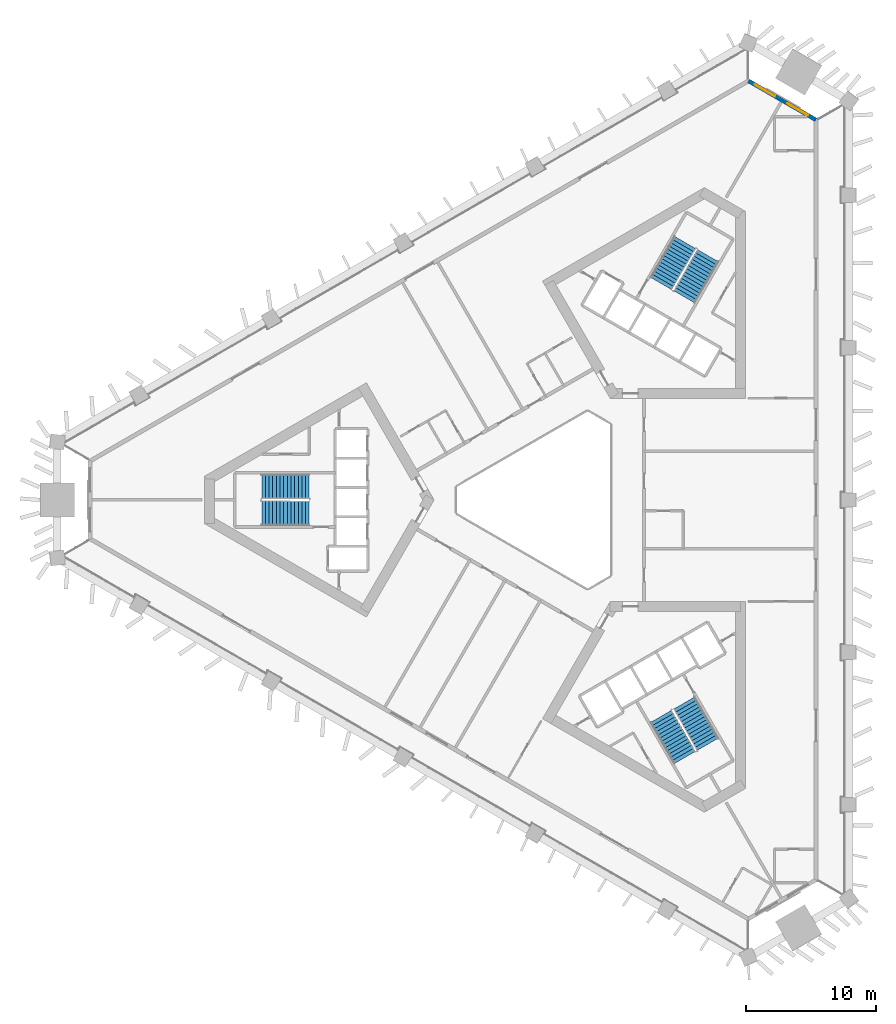
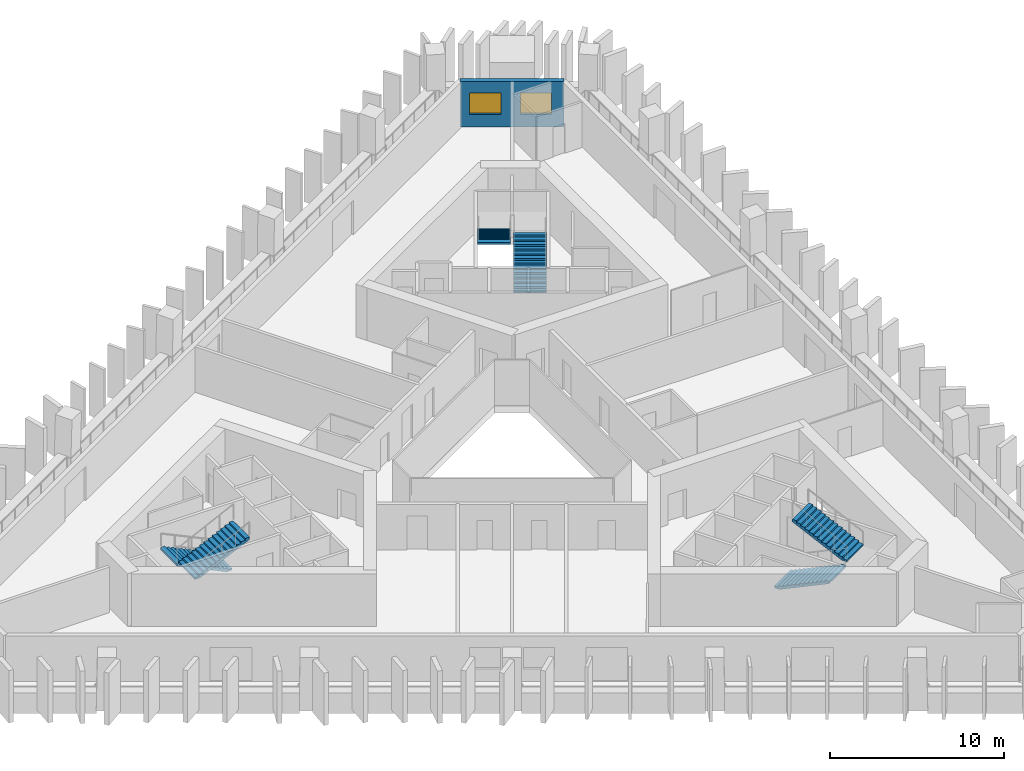
# One storey, part 7 of 11: 6 stair flights, 2 windows, 1 wall, 2 openings, 3 elements without a shape of their own.
"""IFC4 building model written with IfcOpenShell, lengths in metres."""

from ifc_helpers import new_model, si_unit, direction, frame, frame_2d, origin, place, context, subcontext, project, spatial, polyline, rectangle, outline, extrude, material, layer, layer_set, type_object, element, fill, aggregate, save


model = new_model("IFC4")

# Units and contexts
model_context = context("Model", 3, precision=1e-05, world=origin(), true_north=direction((0.0, 1.0)))
body_context = subcontext(model_context, "Body", "Model", "MODEL_VIEW")
ifc_project = project(units=[si_unit("LENGTHUNIT", "METRE"), si_unit("AREAUNIT", "SQUARE_METRE"), si_unit("VOLUMEUNIT", "CUBIC_METRE"), si_unit("PLANEANGLEUNIT", "RADIAN"), si_unit("MASSUNIT", "GRAM", prefix="KILO")], contexts=[model_context])

# Site, building, storey
site_placement = place(None, origin())
site = spatial("IfcSite", under=ifc_project, at=site_placement, CompositionType="ELEMENT")
building_placement = place(site_placement, origin())
building = spatial("IfcBuilding", under=site, at=building_placement, Name="Jabali Bay Hotel Tower and Convention Centre", CompositionType="ELEMENT")
storey_placement = place(building_placement, frame((0.0, 0.0, 90.60009765625)))
storey = spatial("IfcBuildingStorey", under=building, at=storey_placement, Name="L21", CompositionType="ELEMENT", Elevation=90.60009765625)

# Wall, openings, windows
ifc_material_1 = material(Name="Concrete C40", Category="concrete")
ifc_layer = layer(ifc_material_1, 0.300048828125)
ifc_layer_set = layer_set([ifc_layer], Name="Concrete C40")
wall_type = type_object("IfcWallType", Name="External wall 300", PredefinedType="SOLIDWALL", material=ifc_layer_set)
wall_placement = place(storey_placement, frame((90.109619140625, 112.136962890625, 0.0), z_axis=(0.0, 0.0, 1.0), x_axis=(0.866008413041, -0.500029427677, 0.0)))
wall = element("IfcWall", 1, at=wall_placement, inside=storey, type_object=wall_type, Name="External wall north-east chamfer L21", PredefinedType="SOLIDWALL", context=body_context, shape_type="SweptSolid", body=[
    extrude(rectangle(XDim=5.966552734375, YDim=0.300048828125, at=frame_2d((2.9833984375, 0.0))), origin(), (0.0, 0.0, 1.0), 3.199951171875),
])
opening_1_placement = place(wall_placement, frame((3.46484375, 0.0, 0.89990234375)))
opening_1 = element("IfcOpeningElement", 2, at=opening_1_placement, cuts=wall, Name="Opening W1", PredefinedType="OPENING", context=body_context, shape_type="SweptSolid", body=[
    extrude(rectangle(XDim=1.800048828125, YDim=1.5, at=frame_2d((0.89990234375, 0.75))), frame((0.0, 0.16064453125, 0.0), z_axis=(0.0, -1.0, 0.0), x_axis=(1.0, 0.0, 0.0)), (0.0, 0.0, 1.0), 0.321044921875),
])
opening_2_placement = place(wall_placement, frame((0.548828125, 0.0, 0.89990234375)))
opening_2 = element("IfcOpeningElement", 3, at=opening_2_placement, cuts=wall, Name="Opening W1", PredefinedType="OPENING", context=body_context, shape_type="SweptSolid", body=[
    extrude(rectangle(XDim=1.800048828125, YDim=1.5, at=frame_2d((0.89990234375, 0.75))), frame((0.0, 0.16064453125, 0.0), z_axis=(0.0, -1.0, 0.0), x_axis=(1.0, 0.0, 0.0)), (0.0, 0.0, 1.0), 0.321044921875),
])
ifc_material_2 = material(Name="Glass", Category="glass")
window_type = type_object("IfcWindowType", Name="Window 1800 x 1500", PartitioningType="SINGLE_PANEL", PredefinedType="WINDOW", material=ifc_material_2)
window_1_placement = place(opening_1_placement, origin())
window_1 = element("IfcWindow", 4, at=window_1_placement, inside=storey, type_object=window_type, Name="Window 2103", OverallHeight=1.5, OverallWidth=1.800048828125, PartitioningType="SINGLE_PANEL", PredefinedType="WINDOW", context=body_context, shape_type="SweptSolid", body=[
    extrude(rectangle(XDim=1.800048828125, YDim=1.5, at=frame_2d((0.89990234375, 0.75))), frame((0.0, 0.030029296875, 0.0), z_axis=(0.0, -1.0, 0.0), x_axis=(1.0, 0.0, 0.0)), (0.0, 0.0, 1.0), 0.06005859375),
])
fill(opening_1, window_1)
window_2_placement = place(opening_2_placement, origin())
window_2 = element("IfcWindow", 5, at=window_2_placement, inside=storey, type_object=window_type, Name="Window 2104", OverallHeight=1.5, OverallWidth=1.800048828125, PartitioningType="SINGLE_PANEL", PredefinedType="WINDOW", context=body_context, shape_type="SweptSolid", body=[
    extrude(rectangle(XDim=1.800048828125, YDim=1.5, at=frame_2d((0.89990234375, 0.75))), frame((0.0, 0.030029296875, 0.0), z_axis=(0.0, -1.0, 0.0), x_axis=(1.0, 0.0, 0.0)), (0.0, 0.0, 1.0), 0.06005859375),
])
fill(opening_2, window_2)

# Stair, stair flights
stair_type = type_object("IfcStairType", Name="Exit stair 1900", PredefinedType="HALF_TURN_STAIR", material=ifc_material_1)
stair_1_placement = place(storey_placement, origin())
stair_1 = element("IfcStair", 6, at=stair_1_placement, inside=storey, type_object=stair_type, Name="L21 Exit Stair 1", PredefinedType="HALF_TURN_STAIR")
stair_flight_type = type_object("IfcStairFlightType", Name="Stair flight concrete 150", PredefinedType="STRAIGHT", material=ifc_material_1)
stair_flight_1_placement = place(storey_placement, frame((56.419921875, 81.02490234375, 0.0), z_axis=(0.0, 0.0, 1.0), x_axis=(-1.0, 0.0, 0.0)))
stair_flight_1 = element("IfcStairFlight", 7, at=stair_flight_1_placement, type_object=stair_flight_type, Name="ST1 flight 1", NumberOfRisers=14, NumberOfTreads=13, PredefinedType="STRAIGHT", RiserHeight=0.132142857, TreadLength=0.28, context=body_context, shape_type="SweptSolid", body=[
    extrude(outline(polyline([(0.0, 0.0), (0.0, 0.132080078125), (0.280029296875, 0.132080078125), (0.280029296875, 0.264404296875), (0.56005859375, 0.264404296875), (0.56005859375, 0.396484375), (0.840087890625, 0.396484375), (0.840087890625, 0.528564453125), (1.1201171875, 0.528564453125), (1.1201171875, 0.66064453125), (1.39990234375, 0.66064453125), (1.39990234375, 0.79296875), (1.679931640625, 0.79296875), (1.679931640625, 0.925048828125), (1.9599609375, 0.925048828125), (1.9599609375, 1.05712890625), (2.239990234375, 1.05712890625), (2.239990234375, 1.189208984375), (2.52001953125, 1.189208984375), (2.52001953125, 1.321533203125), (2.800048828125, 1.321533203125), (2.800048828125, 1.45361328125), (3.080078125, 1.45361328125), (3.080078125, 1.585693359375), (3.360107421875, 1.585693359375), (3.360107421875, 1.7177734375), (3.639892578125, 1.7177734375), (3.639892578125, 1.85009765625), (3.639892578125, 1.552001953125), (0.351318359375, 0.0), (0.0, 0.0)])), frame((0.0, 0.949951171875, 0.0), z_axis=(0.0, -1.0, 0.0), x_axis=(1.0, 0.0, 0.0)), (0.0, 0.0, 1.0), 1.89990234375),
])
stair_flight_2_placement = place(storey_placement, frame((52.780029296875, 78.97509765625, 1.849853515625), z_axis=(0.0, 0.0, 1.0), x_axis=(1.0, 0.0, 0.0)))
stair_flight_2 = element("IfcStairFlight", 8, at=stair_flight_2_placement, type_object=stair_flight_type, Name="ST1 flight 2", NumberOfRisers=14, NumberOfTreads=13, PredefinedType="STRAIGHT", RiserHeight=0.132142857, TreadLength=0.28, context=body_context, shape_type="SweptSolid", body=[
    extrude(outline(polyline([(0.0, 0.0), (0.0, 0.132080078125), (0.280029296875, 0.132080078125), (0.280029296875, 0.264404296875), (0.56005859375, 0.264404296875), (0.56005859375, 0.396484375), (0.840087890625, 0.396484375), (0.840087890625, 0.528564453125), (1.1201171875, 0.528564453125), (1.1201171875, 0.66064453125), (1.39990234375, 0.66064453125), (1.39990234375, 0.79296875), (1.679931640625, 0.79296875), (1.679931640625, 0.925048828125), (1.9599609375, 0.925048828125), (1.9599609375, 1.05712890625), (2.239990234375, 1.05712890625), (2.239990234375, 1.189208984375), (2.52001953125, 1.189208984375), (2.52001953125, 1.321533203125), (2.800048828125, 1.321533203125), (2.800048828125, 1.45361328125), (3.080078125, 1.45361328125), (3.080078125, 1.585693359375), (3.360107421875, 1.585693359375), (3.360107421875, 1.7177734375), (3.639892578125, 1.7177734375), (3.639892578125, 1.85009765625), (3.639892578125, 1.552001953125), (0.351318359375, 0.0), (0.0, 0.0)])), frame((0.0, 0.949951171875, 0.0), z_axis=(0.0, -1.0, 0.0), x_axis=(1.0, 0.0, 0.0)), (0.0, 0.0, 1.0), 1.89990234375),
])
aggregate(stair_1, [stair_flight_1, stair_flight_2])

stair_2_placement = place(storey_placement, origin())
stair_2 = element("IfcStair", 9, at=stair_2_placement, inside=storey, type_object=stair_type, Name="L21 Exit Stair 2", PredefinedType="HALF_TURN_STAIR")
stair_flight_3_placement = place(storey_placement, frame((85.177734375, 95.578369140625, 0.0), z_axis=(0.0, 0.0, 1.0), x_axis=(0.5, 0.866025403784, 0.0)))
stair_flight_3 = element("IfcStairFlight", 10, at=stair_flight_3_placement, type_object=stair_flight_type, Name="ST2 flight 1", NumberOfRisers=14, NumberOfTreads=13, PredefinedType="STRAIGHT", RiserHeight=0.132142857, TreadLength=0.28, context=body_context, shape_type="SweptSolid", body=[
    extrude(outline(polyline([(0.0, 0.0), (0.0, 0.132080078125), (0.280029296875, 0.132080078125), (0.280029296875, 0.264404296875), (0.56005859375, 0.264404296875), (0.56005859375, 0.396484375), (0.840087890625, 0.396484375), (0.840087890625, 0.528564453125), (1.1201171875, 0.528564453125), (1.1201171875, 0.66064453125), (1.39990234375, 0.66064453125), (1.39990234375, 0.79296875), (1.679931640625, 0.79296875), (1.679931640625, 0.925048828125), (1.9599609375, 0.925048828125), (1.9599609375, 1.05712890625), (2.239990234375, 1.05712890625), (2.239990234375, 1.189208984375), (2.52001953125, 1.189208984375), (2.52001953125, 1.321533203125), (2.800048828125, 1.321533203125), (2.800048828125, 1.45361328125), (3.080078125, 1.45361328125), (3.080078125, 1.585693359375), (3.360107421875, 1.585693359375), (3.360107421875, 1.7177734375), (3.639892578125, 1.7177734375), (3.639892578125, 1.85009765625), (3.639892578125, 1.552001953125), (0.351318359375, 0.0), (0.0, 0.0)])), frame((0.0, 0.949951171875, 0.0), z_axis=(0.0, -1.0, 0.0), x_axis=(1.0, 0.0, 0.0)), (0.0, 0.0, 1.0), 1.89990234375),
])
stair_flight_4_placement = place(storey_placement, frame((85.222412109375, 99.755615234375, 1.849853515625), z_axis=(0.0, 0.0, 1.0), x_axis=(-0.5, -0.866025403784, 0.0)))
stair_flight_4 = element("IfcStairFlight", 11, at=stair_flight_4_placement, type_object=stair_flight_type, Name="ST2 flight 2", NumberOfRisers=14, NumberOfTreads=13, PredefinedType="STRAIGHT", RiserHeight=0.132142857, TreadLength=0.28, context=body_context, shape_type="SweptSolid", body=[
    extrude(outline(polyline([(0.0, 0.0), (0.0, 0.132080078125), (0.280029296875, 0.132080078125), (0.280029296875, 0.264404296875), (0.56005859375, 0.264404296875), (0.56005859375, 0.396484375), (0.840087890625, 0.396484375), (0.840087890625, 0.528564453125), (1.1201171875, 0.528564453125), (1.1201171875, 0.66064453125), (1.39990234375, 0.66064453125), (1.39990234375, 0.79296875), (1.679931640625, 0.79296875), (1.679931640625, 0.925048828125), (1.9599609375, 0.925048828125), (1.9599609375, 1.05712890625), (2.239990234375, 1.05712890625), (2.239990234375, 1.189208984375), (2.52001953125, 1.189208984375), (2.52001953125, 1.321533203125), (2.800048828125, 1.321533203125), (2.800048828125, 1.45361328125), (3.080078125, 1.45361328125), (3.080078125, 1.585693359375), (3.360107421875, 1.585693359375), (3.360107421875, 1.7177734375), (3.639892578125, 1.7177734375), (3.639892578125, 1.85009765625), (3.639892578125, 1.552001953125), (0.351318359375, 0.0), (0.0, 0.0)])), frame((0.0, 0.949951171875, 0.0), z_axis=(0.0, -1.0, 0.0), x_axis=(1.0, 0.0, 0.0)), (0.0, 0.0, 1.0), 1.89990234375),
])
aggregate(stair_2, [stair_flight_3, stair_flight_4])

stair_3_placement = place(storey_placement, origin())
stair_3 = element("IfcStair", 12, at=stair_3_placement, inside=storey, type_object=stair_type, Name="L21 Exit Stair 3", PredefinedType="HALF_TURN_STAIR")
stair_flight_5_placement = place(storey_placement, frame((83.40234375, 63.396728515625, 0.0), z_axis=(0.0, 0.0, 1.0), x_axis=(0.5, -0.866025403784, 0.0)))
stair_flight_5 = element("IfcStairFlight", 13, at=stair_flight_5_placement, type_object=stair_flight_type, Name="ST3 flight 1", NumberOfRisers=14, NumberOfTreads=13, PredefinedType="STRAIGHT", RiserHeight=0.132142857, TreadLength=0.28, context=body_context, shape_type="SweptSolid", body=[
    extrude(outline(polyline([(0.0, 0.0), (0.0, 0.132080078125), (0.280029296875, 0.132080078125), (0.280029296875, 0.264404296875), (0.56005859375, 0.264404296875), (0.56005859375, 0.396484375), (0.840087890625, 0.396484375), (0.840087890625, 0.528564453125), (1.1201171875, 0.528564453125), (1.1201171875, 0.66064453125), (1.39990234375, 0.66064453125), (1.39990234375, 0.79296875), (1.679931640625, 0.79296875), (1.679931640625, 0.925048828125), (1.9599609375, 0.925048828125), (1.9599609375, 1.05712890625), (2.239990234375, 1.05712890625), (2.239990234375, 1.189208984375), (2.52001953125, 1.189208984375), (2.52001953125, 1.321533203125), (2.800048828125, 1.321533203125), (2.800048828125, 1.45361328125), (3.080078125, 1.45361328125), (3.080078125, 1.585693359375), (3.360107421875, 1.585693359375), (3.360107421875, 1.7177734375), (3.639892578125, 1.7177734375), (3.639892578125, 1.85009765625), (3.639892578125, 1.552001953125), (0.351318359375, 0.0), (0.0, 0.0)])), frame((0.0, 0.949951171875, 0.0), z_axis=(0.0, -1.0, 0.0), x_axis=(1.0, 0.0, 0.0)), (0.0, 0.0, 1.0), 1.89990234375),
])
stair_flight_6_placement = place(storey_placement, frame((86.99755859375, 61.26953125, 1.849853515625), z_axis=(0.0, 0.0, 1.0), x_axis=(-0.5, 0.866025403784, 0.0)))
stair_flight_6 = element("IfcStairFlight", 14, at=stair_flight_6_placement, type_object=stair_flight_type, Name="ST3 flight 2", NumberOfRisers=14, NumberOfTreads=13, PredefinedType="STRAIGHT", RiserHeight=0.132142857, TreadLength=0.28, context=body_context, shape_type="SweptSolid", body=[
    extrude(outline(polyline([(0.0, 0.0), (0.0, 0.132080078125), (0.280029296875, 0.132080078125), (0.280029296875, 0.264404296875), (0.56005859375, 0.264404296875), (0.56005859375, 0.396484375), (0.840087890625, 0.396484375), (0.840087890625, 0.528564453125), (1.1201171875, 0.528564453125), (1.1201171875, 0.66064453125), (1.39990234375, 0.66064453125), (1.39990234375, 0.79296875), (1.679931640625, 0.79296875), (1.679931640625, 0.925048828125), (1.9599609375, 0.925048828125), (1.9599609375, 1.05712890625), (2.239990234375, 1.05712890625), (2.239990234375, 1.189208984375), (2.52001953125, 1.189208984375), (2.52001953125, 1.321533203125), (2.800048828125, 1.321533203125), (2.800048828125, 1.45361328125), (3.080078125, 1.45361328125), (3.080078125, 1.585693359375), (3.360107421875, 1.585693359375), (3.360107421875, 1.7177734375), (3.639892578125, 1.7177734375), (3.639892578125, 1.85009765625), (3.639892578125, 1.552001953125), (0.351318359375, 0.0), (0.0, 0.0)])), frame((0.0, 0.949951171875, 0.0), z_axis=(0.0, -1.0, 0.0), x_axis=(1.0, 0.0, 0.0)), (0.0, 0.0, 1.0), 1.89990234375),
])
aggregate(stair_3, [stair_flight_5, stair_flight_6])

save(model, "model.ifc")
